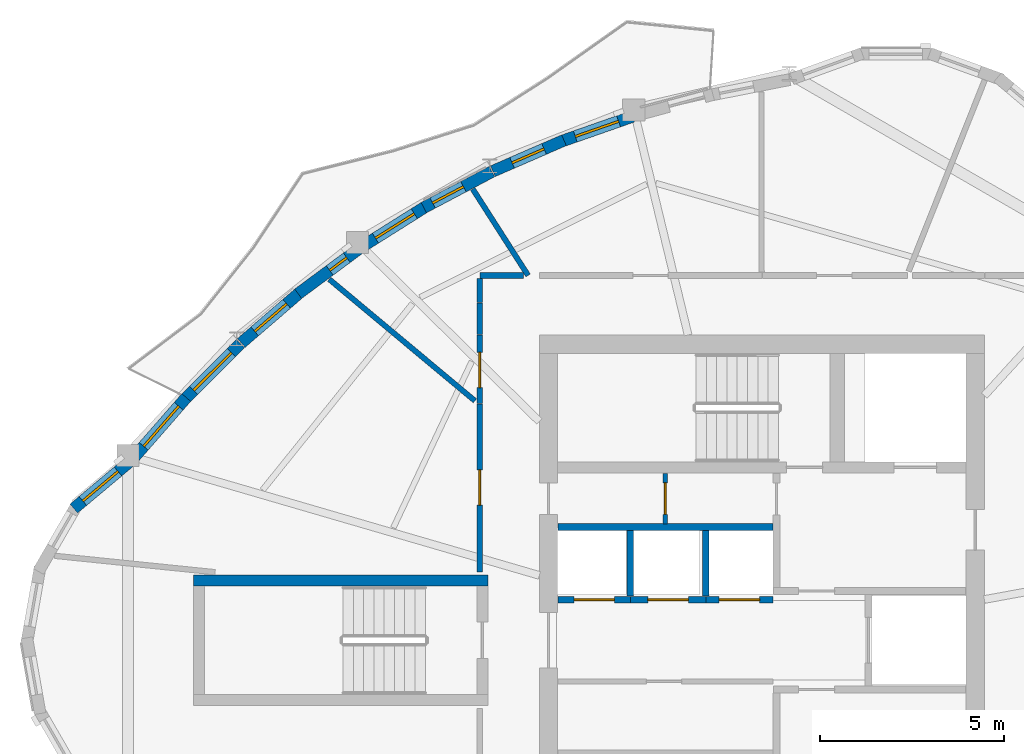
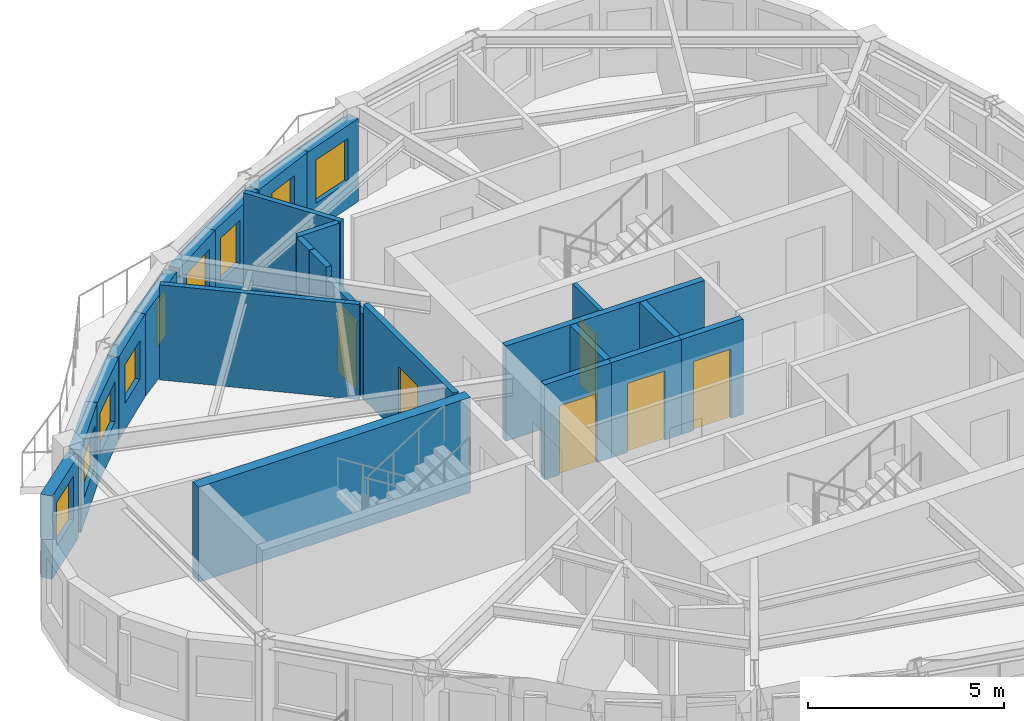
# One storey, part 5 of 11: 24 walls, 9 windows, 6 doors, 15 openings.
"""IFC4 building model written with IfcOpenShell, lengths in metres."""

from ifc_helpers import new_model, si_unit, direction, frame, frame_2d, origin, place, context, subcontext, project, spatial, rectangle, extrude, source, transform, mapped, material, layer, layer_set, type_object, element, fill, save


model = new_model("IFC4")

# Units and contexts
model_context = context("Model", 3, precision=1e-05, world=origin(), true_north=direction((0.0, 1.0)))
body_context = subcontext(model_context, "Body", "Model", "MODEL_VIEW")
ifc_project = project(units=[si_unit("LENGTHUNIT", "METRE"), si_unit("AREAUNIT", "SQUARE_METRE"), si_unit("VOLUMEUNIT", "CUBIC_METRE"), si_unit("PLANEANGLEUNIT", "RADIAN"), si_unit("MASSUNIT", "GRAM", prefix="KILO")], contexts=[model_context])

# Site, building, storey
site_placement = place(None, origin())
site = spatial("IfcSite", under=ifc_project, at=site_placement, CompositionType="ELEMENT")
building_placement = place(site_placement, origin())
building = spatial("IfcBuilding", under=site, at=building_placement, Name="Qafzar Sky-Pleat Residences", CompositionType="ELEMENT")
storey_placement = place(building_placement, frame((0.0, 0.0, 240.39990234375)))
storey = spatial("IfcBuildingStorey", under=building, at=storey_placement, Name="L72", CompositionType="ELEMENT", Elevation=240.39990234375)

# Wall, opening, door
ifc_material_1 = material(Name="Acoustic gypsum plasterboard partition", Category="gypsum")
ifc_layer_1 = layer(ifc_material_1, 0.159912109375)
ifc_layer_set_1 = layer_set([ifc_layer_1], Name="Acoustic gypsum plasterboard partition")
wall_type_1 = type_object("IfcWallType", Name="PART-COR-160", PredefinedType="PARTITIONING", material=ifc_layer_set_1)
wall_1_placement = place(storey_placement, frame((22.679931640625, 27.85009765625, 0.0), z_axis=(0.0, 0.0, 1.0), x_axis=(0.0, 1.0, 0.0)))
wall_1 = element("IfcWall", 1, at=wall_1_placement, inside=storey, type_object=wall_type_1, Name="L72 Partition Wall PART-L72-PW-003", PredefinedType="PARTITIONING", context=body_context, shape_type="SweptSolid", body=[
    extrude(rectangle(XDim=4.56884765625, YDim=0.159912109375, at=frame_2d((2.284423828125, 0.0))), origin(), (0.0, 0.0, 1.0), 2.960205078125),
])
opening_1_placement = place(wall_1_placement, frame((1.824462890625, 0.0, 0.0)))
opening_1 = element("IfcOpeningElement", 2, at=opening_1_placement, cuts=wall_1, Name="Opening ID-06", PredefinedType="OPENING", context=body_context, shape_type="SweptSolid", body=[
    extrude(rectangle(XDim=0.9599609375, YDim=2.10009765625, at=frame_2d((0.47998046875, 1.050048828125))), frame((0.0, 0.08984375, 0.0), z_axis=(0.0, -1.0, 0.0), x_axis=(1.0, 0.0, 0.0)), (0.0, 0.0, 1.0), 0.179931640625),
])
ifc_material_2 = material(Name="Timber-faced fire door", Category="wood")
door_type_1 = type_object("IfcDoorType", Name="DR-STD-960", OperationType="NOTDEFINED", PredefinedType="DOOR", material=ifc_material_2)
shared_shape_1 = source(origin(), body_context, "Body", "SweptSolid", [
    extrude(rectangle(XDim=0.9599609375, YDim=2.10009765625, at=frame_2d((0.47998046875, 1.050048828125))), frame((0.0, 0.02490234375, 0.0), z_axis=(0.0, -1.0, 0.0), x_axis=(1.0, 0.0, 0.0)), (0.0, 0.0, 1.0), 0.050048828125),
])
door_1_placement = place(opening_1_placement, origin())
door_1 = element("IfcDoor", 3, at=door_1_placement, inside=storey, type_object=door_type_1, Name="L72 Scholar Co-Working Workspace Door", OperationType="SINGLE_SWING_RIGHT", OverallHeight=2.10009765625, OverallWidth=0.9599609375, PredefinedType="DOOR", context=body_context, shape_type="MappedRepresentation", body=[
    mapped(shared_shape_1, transform((0.0, 0.0, 0.0), x_axis=(1.0, 0.0, 0.0), y_axis=(0.0, 1.0, 0.0), z_axis=(0.0, 0.0, 1.0), scale=1.0)),
])
fill(opening_1, door_1)

wall_2_placement = place(storey_placement, frame((22.679931640625, 32.43408203125, 0.0), z_axis=(0.0, 0.0, 1.0), x_axis=(0.0, 1.0, 0.0)))
wall_2 = element("IfcWall", 4, at=wall_2_placement, inside=storey, type_object=wall_type_1, Name="L72 Partition Wall PART-L72-PW-010", PredefinedType="PARTITIONING", context=body_context, shape_type="SweptSolid", body=[
    extrude(rectangle(XDim=1.865966796875, YDim=0.159912109375, at=frame_2d((0.93310546875, 0.0))), origin(), (0.0, 0.0, 1.0), 2.628173828125),
])
opening_2_placement = place(wall_2_placement, frame((0.43603515625, 0.0, 0.0)))
opening_2 = element("IfcOpeningElement", 5, at=opening_2_placement, cuts=wall_2, Name="Opening ID-06", PredefinedType="OPENING", context=body_context, shape_type="SweptSolid", body=[
    extrude(rectangle(XDim=0.9599609375, YDim=2.10009765625, at=frame_2d((0.47998046875, 1.050048828125))), frame((0.0, 0.08984375, 0.0), z_axis=(0.0, -1.0, 0.0), x_axis=(1.0, 0.0, 0.0)), (0.0, 0.0, 1.0), 0.179931640625),
])
door_2_placement = place(opening_2_placement, origin())
door_2 = element("IfcDoor", 6, at=door_2_placement, inside=storey, type_object=door_type_1, Name="L72 Quiet Prayer Room Door", OperationType="SINGLE_SWING_RIGHT", OverallHeight=2.10009765625, OverallWidth=0.9599609375, PredefinedType="DOOR", context=body_context, shape_type="MappedRepresentation", body=[
    mapped(shared_shape_1, transform((0.0, 0.0, 0.0), x_axis=(1.0, 0.0, 0.0), y_axis=(0.0, 1.0, 0.0), z_axis=(0.0, 0.0, 1.0), scale=1.0)),
])
fill(opening_2, door_2)

# Walls
wall_3_placement = place(storey_placement, frame((22.679931640625, 35.919921875, 0.0), z_axis=(0.0, 0.0, 1.0), x_axis=(1.0, 0.0, 0.0)))
element("IfcWall", 7, at=wall_3_placement, inside=storey, type_object=wall_type_1, Name="L72 Partition Wall PART-L72-PW-026", PredefinedType="PARTITIONING", context=body_context, shape_type="SweptSolid", body=[
    extrude(rectangle(XDim=1.186767578125, YDim=0.159912109375, at=frame_2d((0.59326171875, 0.0))), origin(), (0.0, 0.0, 1.0), 2.960205078125),
])
wall_4_placement = place(storey_placement, frame((22.679931640625, 34.31494140625, 0.0), z_axis=(0.0, 0.0, 1.0), x_axis=(0.0, 1.0, 0.0)))
element("IfcWall", 8, at=wall_4_placement, inside=storey, type_object=wall_type_1, Name="L72 Partition Wall PART-L72-PW-028", PredefinedType="PARTITIONING", context=body_context, shape_type="SweptSolid", body=[
    extrude(rectangle(XDim=0.859130859375, YDim=0.159912109375, at=frame_2d((0.4296875, 0.0))), origin(), (0.0, 0.0, 1.0), 2.960205078125),
])
wall_5_placement = place(storey_placement, frame((22.679931640625, 35.18896484375, 0.0), z_axis=(0.0, 0.0, 1.0), x_axis=(0.0, 1.0, 0.0)))
element("IfcWall", 9, at=wall_5_placement, inside=storey, type_object=wall_type_1, Name="L72 Partition Wall PART-L72-PW-029", PredefinedType="PARTITIONING", context=body_context, shape_type="SweptSolid", body=[
    extrude(rectangle(XDim=0.64306640625, YDim=0.159912109375, at=frame_2d((0.321533203125, 0.0))), origin(), (0.0, 0.0, 1.0), 2.960205078125),
])
ifc_material_3 = material(Name="Concrete blockwork partition", Category="masonry")
ifc_layer_2 = layer(ifc_material_3, 0.179931640625)
ifc_layer_set_2 = layer_set([ifc_layer_2], Name="Concrete blockwork partition")
wall_type_2 = type_object("IfcWallType", Name="PART-SHAFT-180", PredefinedType="PARTITIONING", material=ifc_layer_set_2)
wall_6_placement = place(storey_placement, frame((24.81005859375, 29.080078125, 0.0), z_axis=(0.0, 0.0, 1.0), x_axis=(1.0, 0.0, 0.0)))
element("IfcWall", 10, at=wall_6_placement, inside=storey, type_object=wall_type_2, Name="L72 Partition Wall PART-L72-P46-N", PredefinedType="PARTITIONING", context=body_context, shape_type="SweptSolid", body=[
    extrude(rectangle(XDim=5.83984375, YDim=0.179931640625, at=frame_2d((2.919921875, 0.0))), origin(), (0.0, 0.0, 1.0), 2.960205078125),
])

# Wall, opening, door
wall_7_placement = place(storey_placement, frame((24.81005859375, 27.10009765625, 0.0), z_axis=(0.0, 0.0, 1.0), x_axis=(1.0, 0.0, 0.0)))
wall_7 = element("IfcWall", 11, at=wall_7_placement, inside=storey, type_object=wall_type_2, Name="L72 Partition Wall PART-L72-P4-S", PredefinedType="PARTITIONING", context=body_context, shape_type="SweptSolid", body=[
    extrude(rectangle(XDim=1.96484375, YDim=0.179931640625, at=frame_2d((0.982421875, 0.0))), origin(), (0.0, 0.0, 1.0), 2.960205078125),
])
opening_3_placement = place(wall_7_placement, frame((0.4326171875, 0.0, 0.0)))
opening_3 = element("IfcOpeningElement", 12, at=opening_3_placement, cuts=wall_7, Name="Opening LD-01", PredefinedType="OPENING", context=body_context, shape_type="SweptSolid", body=[
    extrude(rectangle(XDim=1.10009765625, YDim=2.14990234375, at=frame_2d((0.550048828125, 1.074951171875))), frame((0.0, 0.10009765625, 0.0), z_axis=(0.0, -1.0, 0.0), x_axis=(1.0, 0.0, 0.0)), (0.0, 0.0, 1.0), 0.199951171875),
])
ifc_material_4 = material(Name="Stainless steel sliding landing door", Category="steel")
door_type_2 = type_object("IfcDoorType", Name="DR-LIFT-P", OperationType="DOUBLE_DOOR_SLIDING", PredefinedType="DOOR", material=ifc_material_4)
shared_shape_2 = source(origin(), body_context, "Body", "SweptSolid", [
    extrude(rectangle(XDim=1.10009765625, YDim=2.14990234375, at=frame_2d((0.550048828125, 1.074951171875))), frame((0.0, 0.02490234375, 0.0), z_axis=(0.0, -1.0, 0.0), x_axis=(1.0, 0.0, 0.0)), (0.0, 0.0, 1.0), 0.050048828125),
])
door_3_placement = place(opening_3_placement, origin())
door_3 = element("IfcDoor", 13, at=door_3_placement, inside=storey, type_object=door_type_2, Name="L72 Passenger Lift P4 Landing Door", OperationType="DOUBLE_DOOR_SLIDING", OverallHeight=2.14990234375, OverallWidth=1.10009765625, PredefinedType="DOOR", context=body_context, shape_type="MappedRepresentation", body=[
    mapped(shared_shape_2, transform((0.0, 0.0, 0.0), x_axis=(1.0, 0.0, 0.0), y_axis=(0.0, 1.0, 0.0), z_axis=(0.0, 0.0, 1.0), scale=1.0)),
])
fill(opening_3, door_3)

wall_8_placement = place(storey_placement, frame((26.77490234375, 27.10009765625, 0.0), z_axis=(0.0, 0.0, 1.0), x_axis=(1.0, 0.0, 0.0)))
wall_8 = element("IfcWall", 14, at=wall_8_placement, inside=storey, type_object=wall_type_2, Name="L72 Partition Wall PART-L72-P5-S", PredefinedType="PARTITIONING", context=body_context, shape_type="SweptSolid", body=[
    extrude(rectangle(XDim=2.050048828125, YDim=0.179931640625, at=frame_2d((1.02490234375, 0.0))), origin(), (0.0, 0.0, 1.0), 2.960205078125),
])
opening_4_placement = place(wall_8_placement, frame((0.47509765625, 0.0, 0.0)))
opening_4 = element("IfcOpeningElement", 15, at=opening_4_placement, cuts=wall_8, Name="Opening LD-01", PredefinedType="OPENING", context=body_context, shape_type="SweptSolid", body=[
    extrude(rectangle(XDim=1.10009765625, YDim=2.14990234375, at=frame_2d((0.550048828125, 1.074951171875))), frame((0.0, 0.10009765625, 0.0), z_axis=(0.0, -1.0, 0.0), x_axis=(1.0, 0.0, 0.0)), (0.0, 0.0, 1.0), 0.199951171875),
])
door_4_placement = place(opening_4_placement, origin())
door_4 = element("IfcDoor", 16, at=door_4_placement, inside=storey, type_object=door_type_2, Name="L72 Passenger Lift P5 Landing Door", OperationType="DOUBLE_DOOR_SLIDING", OverallHeight=2.14990234375, OverallWidth=1.10009765625, PredefinedType="DOOR", context=body_context, shape_type="MappedRepresentation", body=[
    mapped(shared_shape_2, transform((0.0, 0.0, 0.0), x_axis=(1.0, 0.0, 0.0), y_axis=(0.0, 1.0, 0.0), z_axis=(0.0, 0.0, 1.0), scale=1.0)),
])
fill(opening_4, door_4)

# Wall
wall_9_placement = place(storey_placement, frame((26.77490234375, 27.199951171875, 0.0), z_axis=(0.0, 0.0, 1.0), x_axis=(0.0, 1.0, 0.0)))
element("IfcWall", 17, at=wall_9_placement, inside=storey, type_object=wall_type_2, Name="L72 Partition Wall PART-L72-P46-DIV-1", PredefinedType="PARTITIONING", context=body_context, shape_type="SweptSolid", body=[
    extrude(rectangle(XDim=1.780029296875, YDim=0.179931640625, at=frame_2d((0.89013671875, 0.0))), origin(), (0.0, 0.0, 1.0), 2.960205078125),
])

# Wall, opening, door
wall_10_placement = place(storey_placement, frame((28.824951171875, 27.10009765625, 0.0), z_axis=(0.0, 0.0, 1.0), x_axis=(1.0, 0.0, 0.0)))
wall_10 = element("IfcWall", 18, at=wall_10_placement, inside=storey, type_object=wall_type_2, Name="L72 Partition Wall PART-L72-P6-S", PredefinedType="PARTITIONING", context=body_context, shape_type="SweptSolid", body=[
    extrude(rectangle(XDim=1.824951171875, YDim=0.179931640625, at=frame_2d((0.91259765625, 0.0))), origin(), (0.0, 0.0, 1.0), 2.960205078125),
])
opening_5_placement = place(wall_10_placement, frame((0.362548828125, 0.0, 0.0)))
opening_5 = element("IfcOpeningElement", 19, at=opening_5_placement, cuts=wall_10, Name="Opening LD-01", PredefinedType="OPENING", context=body_context, shape_type="SweptSolid", body=[
    extrude(rectangle(XDim=1.10009765625, YDim=2.14990234375, at=frame_2d((0.550048828125, 1.074951171875))), frame((0.0, 0.10009765625, 0.0), z_axis=(0.0, -1.0, 0.0), x_axis=(1.0, 0.0, 0.0)), (0.0, 0.0, 1.0), 0.199951171875),
])
door_5_placement = place(opening_5_placement, origin())
door_5 = element("IfcDoor", 20, at=door_5_placement, inside=storey, type_object=door_type_2, Name="L72 Passenger Lift P6 Landing Door", OperationType="DOUBLE_DOOR_SLIDING", OverallHeight=2.14990234375, OverallWidth=1.10009765625, PredefinedType="DOOR", context=body_context, shape_type="MappedRepresentation", body=[
    mapped(shared_shape_2, transform((0.0, 0.0, 0.0), x_axis=(1.0, 0.0, 0.0), y_axis=(0.0, 1.0, 0.0), z_axis=(0.0, 0.0, 1.0), scale=1.0)),
])
fill(opening_5, door_5)

# Wall
wall_11_placement = place(storey_placement, frame((28.824951171875, 27.199951171875, 0.0), z_axis=(0.0, 0.0, 1.0), x_axis=(0.0, 1.0, 0.0)))
element("IfcWall", 21, at=wall_11_placement, inside=storey, type_object=wall_type_2, Name="L72 Partition Wall PART-L72-P46-DIV-2", PredefinedType="PARTITIONING", context=body_context, shape_type="SweptSolid", body=[
    extrude(rectangle(XDim=1.780029296875, YDim=0.179931640625, at=frame_2d((0.89013671875, 0.0))), origin(), (0.0, 0.0, 1.0), 2.960205078125),
])

# Wall, opening, door
ifc_material_5 = material(Name="Gypsum plasterboard partition", Category="gypsum")
ifc_layer_3 = layer(ifc_material_5, 0.114990234375)
ifc_layer_set_3 = layer_set([ifc_layer_3], Name="Gypsum plasterboard partition")
wall_type_3 = type_object("IfcWallType", Name="PART-SVC-115", PredefinedType="PARTITIONING", material=ifc_layer_set_3)
wall_12_placement = place(storey_placement, frame((27.72509765625, 29.159912109375, 0.0), z_axis=(0.0, 0.0, 1.0), x_axis=(0.0, 1.0, 0.0)))
wall_12 = element("IfcWall", 22, at=wall_12_placement, inside=storey, type_object=wall_type_3, Name="L72 Partition Wall PART-L72-KB-NW", PredefinedType="PARTITIONING", context=body_context, shape_type="SweptSolid", body=[
    extrude(rectangle(XDim=1.380126953125, YDim=0.114990234375, at=frame_2d((0.68994140625, 0.0))), origin(), (0.0, 0.0, 1.0), 2.960205078125),
])
opening_6_placement = place(wall_12_placement, frame((0.260009765625, 0.0, 0.0)))
opening_6 = element("IfcOpeningElement", 23, at=opening_6_placement, cuts=wall_12, Name="Opening ID-09", PredefinedType="OPENING", context=body_context, shape_type="SweptSolid", body=[
    extrude(rectangle(XDim=0.860107421875, YDim=2.050048828125, at=frame_2d((0.43017578125, 1.02490234375))), frame((0.0, 0.0673828125, 0.0), z_axis=(0.0, -1.0, 0.0), x_axis=(1.0, 0.0, 0.0)), (0.0, 0.0, 1.0), 0.135009765625),
])
door_type_3 = type_object("IfcDoorType", Name="DR-SVC-860", OperationType="NOTDEFINED", PredefinedType="DOOR", material=ifc_material_2)
shared_shape_3 = source(origin(), body_context, "Body", "SweptSolid", [
    extrude(rectangle(XDim=0.860107421875, YDim=2.050048828125, at=frame_2d((0.43017578125, 1.02490234375))), frame((0.0, 0.02490234375, 0.0), z_axis=(0.0, -1.0, 0.0), x_axis=(1.0, 0.0, 0.0)), (0.0, 0.0, 1.0), 0.050048828125),
])
door_6_placement = place(opening_6_placement, origin())
door_6 = element("IfcDoor", 24, at=door_6_placement, inside=storey, type_object=door_type_3, Name="L72 IT Cupboard Door", OperationType="SINGLE_SWING_RIGHT", OverallHeight=2.050048828125, OverallWidth=0.860107421875, PredefinedType="DOOR", context=body_context, shape_type="MappedRepresentation", body=[
    mapped(shared_shape_3, transform((0.0, 0.0, 0.0), x_axis=(1.0, 0.0, 0.0), y_axis=(0.0, 1.0, 0.0), z_axis=(0.0, 0.0, 1.0), scale=1.0)),
])
fill(opening_6, door_6)

# Walls
ifc_layer_4 = layer(ifc_material_1, 0.14501953125)
ifc_layer_set_4 = layer_set([ifc_layer_4], Name="Acoustic gypsum plasterboard partition")
wall_type_4 = type_object("IfcWallType", Name="PART-UNIT-145", PredefinedType="PARTITIONING", material=ifc_layer_set_4)
wall_13_placement = place(storey_placement, frame((18.585693359375, 35.81689453125, 0.0), z_axis=(0.0, 0.0, 1.0), x_axis=(0.767767335808, -0.640728739848, 0.0)))
element("IfcWall", 25, at=wall_13_placement, inside=storey, type_object=wall_type_4, Name="L72 Partition Wall PART-L72-PW-012", PredefinedType="PARTITIONING", context=body_context, shape_type="SweptSolid", body=[
    extrude(rectangle(XDim=5.159912109375, YDim=0.14501953125, at=frame_2d((2.580078125, 0.0))), origin(), (0.0, 0.0, 1.0), 2.960205078125),
])
wall_14_placement = place(storey_placement, frame((22.48876953125, 38.27001953125, 0.0), z_axis=(0.0, 0.0, 1.0), x_axis=(0.539324255944, -0.842098181301, 0.0)))
element("IfcWall", 26, at=wall_14_placement, inside=storey, type_object=wall_type_4, Name="L72 Partition Wall PART-L72-PW-020", PredefinedType="PARTITIONING", context=body_context, shape_type="SweptSolid", body=[
    extrude(rectangle(XDim=2.790771484375, YDim=0.14501953125, at=frame_2d((1.3955078125, 0.0))), origin(), (0.0, 0.0, 1.0), 2.960205078125),
])

# Wall, opening, window
ifc_material_6 = material(Name="Precast concrete C40/50 with honed Riyadh limestone", Category="concrete")
ifc_layer_5 = layer(ifc_material_6, 0.320068359375)
ifc_layer_set_5 = layer_set([ifc_layer_5], Name="Precast concrete C40/50 with honed Riyadh limestone")
wall_type_5 = type_object("IfcWallType", Name="WALL-EXT-320", PredefinedType="SOLIDWALL", material=ifc_layer_set_5)
wall_15_placement = place(storey_placement, frame((13.143798828125, 30.842529296875, 0.0), z_axis=(0.0, 0.0, 1.0), x_axis=(-0.76606505432, -0.642763045414, 0.0)))
wall_15 = element("IfcWall", 27, at=wall_15_placement, inside=storey, type_object=wall_type_5, Name="L72 Limestone Facade Wall 1", PredefinedType="SOLIDWALL", context=body_context, shape_type="SweptSolid", body=[
    extrude(rectangle(XDim=1.962158203125, YDim=0.320068359375, at=frame_2d((0.98095703125, 0.0))), origin(), (0.0, 0.0, 1.0), 2.580078125),
])
opening_7_placement = place(wall_15_placement, frame((0.39111328125, 0.0, 0.820068359375)))
opening_7 = element("IfcOpeningElement", 28, at=opening_7_placement, cuts=wall_15, Name="Opening WN-11", PredefinedType="OPENING", context=body_context, shape_type="SweptSolid", body=[
    extrude(rectangle(XDim=1.25, YDim=1.35009765625, at=frame_2d((0.625, 0.675048828125))), frame((0.0, 0.169921875, 0.0), z_axis=(0.0, -1.0, 0.0), x_axis=(1.0, 0.0, 0.0)), (0.0, 0.0, 1.0), 0.340087890625),
])
ifc_material_7 = material(Name="Solar-control low-E glass in bronze aluminium frame", Category="glass")
window_type_1 = type_object("IfcWindowType", Name="WIN-11", PartitioningType="SINGLE_PANEL", PredefinedType="WINDOW", material=ifc_material_7)
shared_shape_4 = source(origin(), body_context, "Body", "SweptSolid", [
    extrude(rectangle(XDim=1.25, YDim=1.35009765625, at=frame_2d((0.625, 0.675048828125))), frame((0.0, 0.030029296875, 0.0), z_axis=(0.0, -1.0, 0.0), x_axis=(1.0, 0.0, 0.0)), (0.0, 0.0, 1.0), 0.06005859375),
])
window_1_placement = place(opening_7_placement, origin())
window_1 = element("IfcWindow", 29, at=window_1_placement, inside=storey, type_object=window_type_1, Name="L72 Punched Facade Window 01", OverallHeight=1.35009765625, OverallWidth=1.25, PartitioningType="SINGLE_PANEL", PredefinedType="WINDOW", context=body_context, shape_type="MappedRepresentation", body=[
    mapped(shared_shape_4, transform((0.0, 0.0, 0.0), x_axis=(1.0, 0.0, 0.0), y_axis=(0.0, 1.0, 0.0), z_axis=(0.0, 0.0, 1.0), scale=1.0)),
])
fill(opening_7, window_1)

wall_16_placement = place(storey_placement, frame((26.83447265625, 40.24267578125, 0.0), z_axis=(0.0, 0.0, 1.0), x_axis=(-0.944112804798, -0.32962252929, 0.0)))
wall_16 = element("IfcWall", 30, at=wall_16_placement, inside=storey, type_object=wall_type_5, Name="L72 Limestone Facade Wall 41", PredefinedType="SOLIDWALL", context=body_context, shape_type="SweptSolid", body=[
    extrude(rectangle(XDim=2.06201171875, YDim=0.320068359375, at=frame_2d((1.031005859375, 0.0))), origin(), (0.0, 0.0, 1.0), 2.580078125),
])
opening_8_placement = place(wall_16_placement, frame((0.40087890625, 0.0, 0.820068359375)))
opening_8 = element("IfcOpeningElement", 31, at=opening_8_placement, cuts=wall_16, Name="Opening WN-11", PredefinedType="OPENING", context=body_context, shape_type="SweptSolid", body=[
    extrude(rectangle(XDim=1.25, YDim=1.35009765625, at=frame_2d((0.625, 0.675048828125))), frame((0.0, 0.169921875, 0.0), z_axis=(0.0, -1.0, 0.0), x_axis=(1.0, 0.0, 0.0)), (0.0, 0.0, 1.0), 0.340087890625),
])
window_2_placement = place(opening_8_placement, origin())
window_2 = element("IfcWindow", 32, at=window_2_placement, inside=storey, type_object=window_type_1, Name="L72 Punched Facade Window 41", OverallHeight=1.35009765625, OverallWidth=1.25, PartitioningType="SINGLE_PANEL", PredefinedType="WINDOW", context=body_context, shape_type="MappedRepresentation", body=[
    mapped(shared_shape_4, transform((0.0, 0.0, 0.0), x_axis=(1.0, 0.0, 0.0), y_axis=(0.0, 1.0, 0.0), z_axis=(0.0, 0.0, 1.0), scale=1.0)),
])
fill(opening_8, window_2)

wall_17_placement = place(storey_placement, frame((24.969482421875, 39.59521484375, 0.0), z_axis=(0.0, 0.0, 1.0), x_axis=(-0.917071897365, -0.398721876831, 0.0)))
wall_17 = element("IfcWall", 33, at=wall_17_placement, inside=storey, type_object=wall_type_5, Name="L72 Limestone Facade Wall 42", PredefinedType="SOLIDWALL", context=body_context, shape_type="SweptSolid", body=[
    extrude(rectangle(XDim=2.108154296875, YDim=0.320068359375, at=frame_2d((1.05419921875, 0.0))), origin(), (0.0, 0.0, 1.0), 2.580078125),
])
opening_9_placement = place(wall_17_placement, frame((0.589111328125, 0.0, 0.820068359375)))
opening_9 = element("IfcOpeningElement", 34, at=opening_9_placement, cuts=wall_17, Name="Opening WN-12", PredefinedType="OPENING", context=body_context, shape_type="SweptSolid", body=[
    extrude(rectangle(XDim=0.949951171875, YDim=1.35009765625, at=frame_2d((0.47509765625, 0.675048828125))), frame((0.0, 0.169921875, 0.0), z_axis=(0.0, -1.0, 0.0), x_axis=(1.0, 0.0, 0.0)), (0.0, 0.0, 1.0), 0.340087890625),
])
window_type_2 = type_object("IfcWindowType", Name="WIN-12", PartitioningType="SINGLE_PANEL", PredefinedType="WINDOW", material=ifc_material_7)
shared_shape_5 = source(origin(), body_context, "Body", "SweptSolid", [
    extrude(rectangle(XDim=0.949951171875, YDim=1.35009765625, at=frame_2d((0.47509765625, 0.675048828125))), frame((0.0, 0.030029296875, 0.0), z_axis=(0.0, -1.0, 0.0), x_axis=(1.0, 0.0, 0.0)), (0.0, 0.0, 1.0), 0.06005859375),
])
window_3_placement = place(opening_9_placement, origin())
window_3 = element("IfcWindow", 35, at=window_3_placement, inside=storey, type_object=window_type_2, Name="L72 Punched Facade Window 42", OverallHeight=1.35009765625, OverallWidth=0.949951171875, PartitioningType="SINGLE_PANEL", PredefinedType="WINDOW", context=body_context, shape_type="MappedRepresentation", body=[
    mapped(shared_shape_5, transform((0.0, 0.0, 0.0), x_axis=(1.0, 0.0, 0.0), y_axis=(0.0, 1.0, 0.0), z_axis=(0.0, 0.0, 1.0), scale=1.0)),
])
fill(opening_9, window_3)

wall_18_placement = place(storey_placement, frame((23.010986328125, 38.74267578125, 0.0), z_axis=(0.0, 0.0, 1.0), x_axis=(-0.884356705668, -0.466811757713, 0.0)))
wall_18 = element("IfcWall", 36, at=wall_18_placement, inside=storey, type_object=wall_type_5, Name="L72 Limestone Facade Wall 43", PredefinedType="SOLIDWALL", context=body_context, shape_type="SweptSolid", body=[
    extrude(rectangle(XDim=2.09619140625, YDim=0.320068359375, at=frame_2d((1.048095703125, 0.0))), origin(), (0.0, 0.0, 1.0), 2.580078125),
])
opening_10_placement = place(wall_18_placement, frame((0.875244140625, 0.0, 0.820068359375)))
opening_10 = element("IfcOpeningElement", 37, at=opening_10_placement, cuts=wall_18, Name="Opening WN-12", PredefinedType="OPENING", context=body_context, shape_type="SweptSolid", body=[
    extrude(rectangle(XDim=0.949951171875, YDim=1.35009765625, at=frame_2d((0.47509765625, 0.675048828125))), frame((0.0, 0.169921875, 0.0), z_axis=(0.0, -1.0, 0.0), x_axis=(1.0, 0.0, 0.0)), (0.0, 0.0, 1.0), 0.340087890625),
])
window_4_placement = place(opening_10_placement, origin())
window_4 = element("IfcWindow", 38, at=window_4_placement, inside=storey, type_object=window_type_2, Name="L72 Punched Facade Window 43-2", OverallHeight=1.35009765625, OverallWidth=0.949951171875, PartitioningType="SINGLE_PANEL", PredefinedType="WINDOW", context=body_context, shape_type="MappedRepresentation", body=[
    mapped(shared_shape_5, transform((0.0, 0.0, 0.0), x_axis=(1.0, 0.0, 0.0), y_axis=(0.0, 1.0, 0.0), z_axis=(0.0, 0.0, 1.0), scale=1.0)),
])
fill(opening_10, window_4)

wall_19_placement = place(storey_placement, frame((21.2333984375, 37.80810546875, 0.0), z_axis=(0.0, 0.0, 1.0), x_axis=(-0.84640381825, -0.532541619454, 0.0)))
wall_19 = element("IfcWall", 39, at=wall_19_placement, inside=storey, type_object=wall_type_5, Name="L72 Limestone Facade Wall 44", PredefinedType="SOLIDWALL", context=body_context, shape_type="SweptSolid", body=[
    extrude(rectangle(XDim=2.0263671875, YDim=0.320068359375, at=frame_2d((1.01318359375, 0.0))), origin(), (0.0, 0.0, 1.0), 2.580078125),
])
opening_11_placement = place(wall_19_placement, frame((0.39306640625, 0.0, 0.820068359375)))
opening_11 = element("IfcOpeningElement", 40, at=opening_11_placement, cuts=wall_19, Name="Opening WN-11", PredefinedType="OPENING", context=body_context, shape_type="SweptSolid", body=[
    extrude(rectangle(XDim=1.25, YDim=1.35009765625, at=frame_2d((0.625, 0.675048828125))), frame((0.0, 0.169921875, 0.0), z_axis=(0.0, -1.0, 0.0), x_axis=(1.0, 0.0, 0.0)), (0.0, 0.0, 1.0), 0.340087890625),
])
window_5_placement = place(opening_11_placement, origin())
window_5 = element("IfcWindow", 41, at=window_5_placement, inside=storey, type_object=window_type_1, Name="L72 Punched Facade Window 44", OverallHeight=1.35009765625, OverallWidth=1.25, PartitioningType="SINGLE_PANEL", PredefinedType="WINDOW", context=body_context, shape_type="MappedRepresentation", body=[
    mapped(shared_shape_4, transform((0.0, 0.0, 0.0), x_axis=(1.0, 0.0, 0.0), y_axis=(0.0, 1.0, 0.0), z_axis=(0.0, 0.0, 1.0), scale=1.0)),
])
fill(opening_11, window_5)

wall_20_placement = place(storey_placement, frame((19.3798828125, 36.634521484375, 0.0), z_axis=(0.0, 0.0, 1.0), x_axis=(-0.803849917549, -0.594832169654, 0.0)))
wall_20 = element("IfcWall", 42, at=wall_20_placement, inside=storey, type_object=wall_type_5, Name="L72 Limestone Facade Wall 45", PredefinedType="SOLIDWALL", context=body_context, shape_type="SweptSolid", body=[
    extrude(rectangle(XDim=2.038330078125, YDim=0.320068359375, at=frame_2d((1.01904296875, 0.0))), origin(), (0.0, 0.0, 1.0), 2.580078125),
])
opening_12_placement = place(wall_20_placement, frame((0.3916015625, 0.0, 0.820068359375)))
opening_12 = element("IfcOpeningElement", 43, at=opening_12_placement, cuts=wall_20, Name="Opening WN-17", PredefinedType="OPENING", context=body_context, shape_type="SweptSolid", body=[
    extrude(rectangle(XDim=0.580078125, YDim=1.35009765625, at=frame_2d((0.2900390625, 0.675048828125))), frame((0.0, 0.169921875, 0.0), z_axis=(0.0, -1.0, 0.0), x_axis=(1.0, 0.0, 0.0)), (0.0, 0.0, 1.0), 0.340087890625),
])
window_type_3 = type_object("IfcWindowType", Name="WIN-17", PartitioningType="SINGLE_PANEL", PredefinedType="WINDOW", material=ifc_material_7)
shared_shape_6 = source(origin(), body_context, "Body", "SweptSolid", [
    extrude(rectangle(XDim=0.580078125, YDim=1.35009765625, at=frame_2d((0.2900390625, 0.675048828125))), frame((0.0, 0.030029296875, 0.0), z_axis=(0.0, -1.0, 0.0), x_axis=(1.0, 0.0, 0.0)), (0.0, 0.0, 1.0), 0.06005859375),
])
window_6_placement = place(opening_12_placement, origin())
window_6 = element("IfcWindow", 44, at=window_6_placement, inside=storey, type_object=window_type_3, Name="L72 Punched Facade Window 45", OverallHeight=1.35009765625, OverallWidth=0.580078125, PartitioningType="SINGLE_PANEL", PredefinedType="WINDOW", context=body_context, shape_type="MappedRepresentation", body=[
    mapped(shared_shape_6, transform((0.0, 0.0, 0.0), x_axis=(1.0, 0.0, 0.0), y_axis=(0.0, 1.0, 0.0), z_axis=(0.0, 0.0, 1.0), scale=1.0)),
])
fill(opening_12, window_6)

wall_21_placement = place(storey_placement, frame((17.81005859375, 35.476806640625, 0.0), z_axis=(0.0, 0.0, 1.0), x_axis=(-0.757507609111, -0.652826333827, 0.0)))
wall_21 = element("IfcWall", 45, at=wall_21_placement, inside=storey, type_object=wall_type_5, Name="L72 Limestone Facade Wall 46", PredefinedType="SOLIDWALL", context=body_context, shape_type="SweptSolid", body=[
    extrude(rectangle(XDim=2.131591796875, YDim=0.320068359375, at=frame_2d((1.06591796875, 0.0))), origin(), (0.0, 0.0, 1.0), 2.580078125),
])
opening_13_placement = place(wall_21_placement, frame((0.5009765625, 0.0, 0.820068359375)))
opening_13 = element("IfcOpeningElement", 46, at=opening_13_placement, cuts=wall_21, Name="Opening WN-16", PredefinedType="OPENING", context=body_context, shape_type="SweptSolid", body=[
    extrude(rectangle(XDim=1.14990234375, YDim=1.199951171875, at=frame_2d((0.574951171875, 0.60009765625))), frame((0.0, 0.169921875, 0.0), z_axis=(0.0, -1.0, 0.0), x_axis=(1.0, 0.0, 0.0)), (0.0, 0.0, 1.0), 0.340087890625),
])
window_type_4 = type_object("IfcWindowType", Name="WIN-16", PartitioningType="SINGLE_PANEL", PredefinedType="WINDOW", material=ifc_material_7)
shared_shape_7 = source(origin(), body_context, "Body", "SweptSolid", [
    extrude(rectangle(XDim=1.14990234375, YDim=1.199951171875, at=frame_2d((0.574951171875, 0.60009765625))), frame((0.0, 0.030029296875, 0.0), z_axis=(0.0, -1.0, 0.0), x_axis=(1.0, 0.0, 0.0)), (0.0, 0.0, 1.0), 0.06005859375),
])
window_7_placement = place(opening_13_placement, origin())
window_7 = element("IfcWindow", 47, at=window_7_placement, inside=storey, type_object=window_type_4, Name="L72 Punched Facade Window 46", OverallHeight=1.199951171875, OverallWidth=1.14990234375, PartitioningType="SINGLE_PANEL", PredefinedType="WINDOW", context=body_context, shape_type="MappedRepresentation", body=[
    mapped(shared_shape_7, transform((0.0, 0.0, 0.0), x_axis=(1.0, 0.0, 0.0), y_axis=(0.0, 1.0, 0.0), z_axis=(0.0, 0.0, 1.0), scale=1.0)),
])
fill(opening_13, window_7)

wall_22_placement = place(storey_placement, frame((16.174560546875, 34.065673828125, 0.0), z_axis=(0.0, 0.0, 1.0), x_axis=(-0.708401175315, -0.705810013256, 0.0)))
wall_22 = element("IfcWall", 48, at=wall_22_placement, inside=storey, type_object=wall_type_5, Name="L72 Limestone Facade Wall 47", PredefinedType="SOLIDWALL", context=body_context, shape_type="SweptSolid", body=[
    extrude(rectangle(XDim=2.1669921875, YDim=0.320068359375, at=frame_2d((1.08349609375, 0.0))), origin(), (0.0, 0.0, 1.0), 2.580078125),
])
opening_14_placement = place(wall_22_placement, frame((0.348388671875, 0.0, 0.820068359375)))
opening_14 = element("IfcOpeningElement", 49, at=opening_14_placement, cuts=wall_22, Name="Opening WN-15", PredefinedType="OPENING", context=body_context, shape_type="SweptSolid", body=[
    extrude(rectangle(XDim=1.449951171875, YDim=1.25, at=frame_2d((0.72509765625, 0.625))), frame((0.0, 0.169921875, 0.0), z_axis=(0.0, -1.0, 0.0), x_axis=(1.0, 0.0, 0.0)), (0.0, 0.0, 1.0), 0.340087890625),
])
window_type_5 = type_object("IfcWindowType", Name="WIN-15", PartitioningType="SINGLE_PANEL", PredefinedType="WINDOW", material=ifc_material_7)
shared_shape_8 = source(origin(), body_context, "Body", "SweptSolid", [
    extrude(rectangle(XDim=1.449951171875, YDim=1.25, at=frame_2d((0.72509765625, 0.625))), frame((0.0, 0.030029296875, 0.0), z_axis=(0.0, -1.0, 0.0), x_axis=(1.0, 0.0, 0.0)), (0.0, 0.0, 1.0), 0.06005859375),
])
window_8_placement = place(opening_14_placement, origin())
window_8 = element("IfcWindow", 50, at=window_8_placement, inside=storey, type_object=window_type_5, Name="L72 Punched Facade Window 47", OverallHeight=1.25, OverallWidth=1.449951171875, PartitioningType="SINGLE_PANEL", PredefinedType="WINDOW", context=body_context, shape_type="MappedRepresentation", body=[
    mapped(shared_shape_8, transform((0.0, 0.0, 0.0), x_axis=(1.0, 0.0, 0.0), y_axis=(0.0, 1.0, 0.0), z_axis=(0.0, 0.0, 1.0), scale=1.0)),
])
fill(opening_14, window_8)

wall_23_placement = place(storey_placement, frame((14.698974609375, 32.599853515625, 0.0), z_axis=(0.0, 0.0, 1.0), x_axis=(-0.657633017404, -0.753338446132, 0.0)))
wall_23 = element("IfcWall", 51, at=wall_23_placement, inside=storey, type_object=wall_type_5, Name="L72 Limestone Facade Wall 48", PredefinedType="SOLIDWALL", context=body_context, shape_type="SweptSolid", body=[
    extrude(rectangle(XDim=2.142822265625, YDim=0.320068359375, at=frame_2d((1.0712890625, 0.0))), origin(), (0.0, 0.0, 1.0), 2.580078125),
])
opening_15_placement = place(wall_23_placement, frame((0.311279296875, 0.0, 0.820068359375)))
opening_15 = element("IfcOpeningElement", 52, at=opening_15_placement, cuts=wall_23, Name="Opening WN-15", PredefinedType="OPENING", context=body_context, shape_type="SweptSolid", body=[
    extrude(rectangle(XDim=1.449951171875, YDim=1.25, at=frame_2d((0.72509765625, 0.625))), frame((0.0, 0.169921875, 0.0), z_axis=(0.0, -1.0, 0.0), x_axis=(1.0, 0.0, 0.0)), (0.0, 0.0, 1.0), 0.340087890625),
])
window_9_placement = place(opening_15_placement, origin())
window_9 = element("IfcWindow", 53, at=window_9_placement, inside=storey, type_object=window_type_5, Name="L72 Punched Facade Window 48", OverallHeight=1.25, OverallWidth=1.449951171875, PartitioningType="SINGLE_PANEL", PredefinedType="WINDOW", context=body_context, shape_type="MappedRepresentation", body=[
    mapped(shared_shape_8, transform((0.0, 0.0, 0.0), x_axis=(1.0, 0.0, 0.0), y_axis=(0.0, 1.0, 0.0), z_axis=(0.0, 0.0, 1.0), scale=1.0)),
])
fill(opening_15, window_9)

# Wall
ifc_material_8 = material(Name="Concrete C60/75", Category="concrete")
ifc_layer_6 = layer(ifc_material_8, 0.300048828125)
ifc_layer_set_6 = layer_set([ifc_layer_6], Name="Concrete C60/75")
wall_type_6 = type_object("IfcWallType", Name="WALL-SHEAR-300", PredefinedType="SHEAR", material=ifc_layer_set_6)
wall_24_placement = place(storey_placement, frame((22.89990234375, 27.625, 0.0), z_axis=(0.0, 0.0, 1.0), x_axis=(-1.0, 0.0, 0.0)))
element("IfcWall", 54, at=wall_24_placement, inside=storey, type_object=wall_type_6, Name="L72 ST3 wall N", PredefinedType="SHEAR", context=body_context, shape_type="SweptSolid", body=[
    extrude(rectangle(XDim=8.0, YDim=0.300048828125, at=frame_2d((4.0, 0.0))), origin(), (0.0, 0.0, 1.0), 2.960205078125),
])

save(model, "model.ifc")
